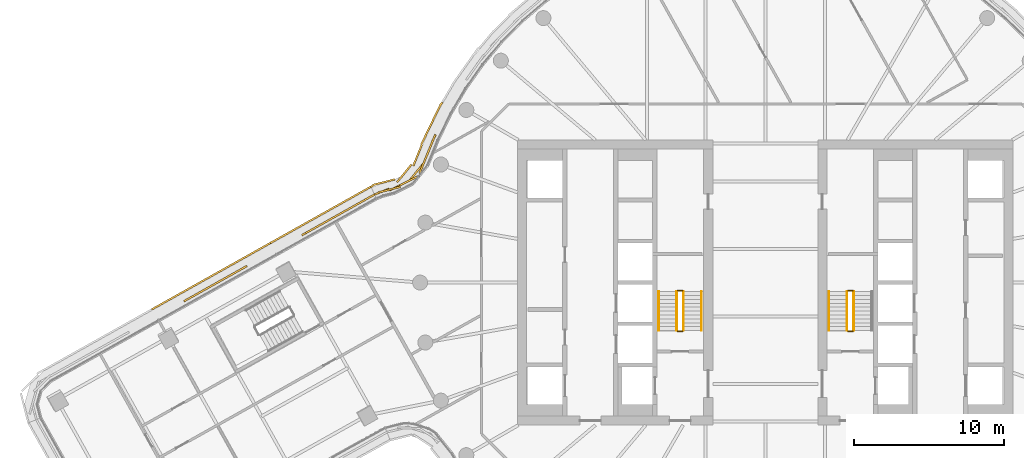
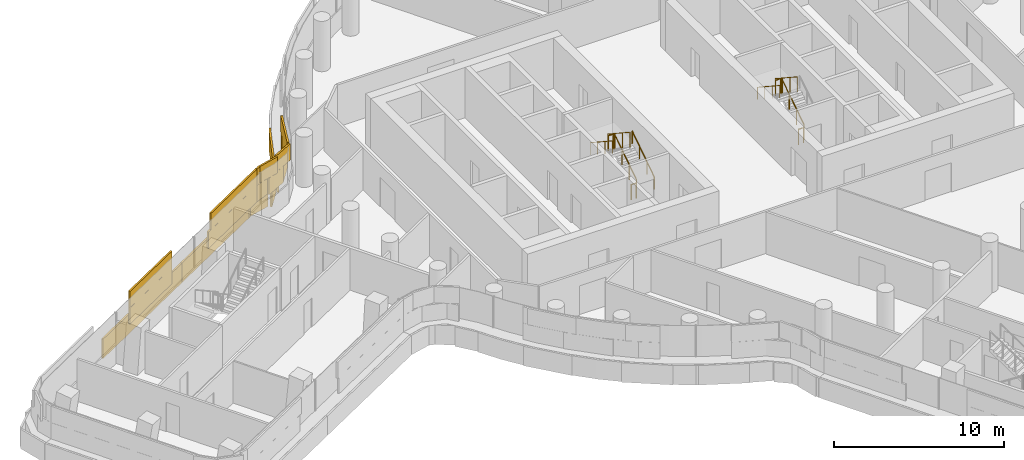
# One storey, part 30 of 34: 11 railings, 3 coverings.
"""IFC4 building model written with IfcOpenShell, lengths in metres."""

import ifcopenshell
import ifcopenshell.guid

model = None  # the IFC model being written
_history = None  # IfcOwnerHistory: only IFC2X3 demands one
_inside = {}  # id of a spatial element -> (the spatial element, [elements in it])
_under = {}  # id of a project, library or spatial element -> (it, [spatial elements below it])
_declared = {}  # id of a project -> (the project, [libraries it declares])
_typed = {}  # id of a type object -> (the type object, [elements of that type])
_made_of = {}  # id of a material, layer set ... -> (it, [elements and type objects made of it])


def new_model(schema):
    """Start an empty IFC model of exactly this schema.

    Asked for "IFC4X3", IfcOpenShell would pick the latest addendum, in which some entities
    have other attributes; the version numbers below select the first issue.
    IFC2X3 requires an IfcOwnerHistory on every rooted entity: one is made here for all.
    """
    global model, _history
    if schema == "IFC4X3":
        model = ifcopenshell.file(schema_version=(4, 3, 0, 0))
    else:
        model = ifcopenshell.file(schema=schema)
    _inside.clear()
    _under.clear()
    _declared.clear()
    _typed.clear()
    _made_of.clear()
    _history = None
    if model.schema == "IFC2X3":
        org = make("IfcOrganization", Name="unknown")
        user = make(
            "IfcPersonAndOrganization",
            ThePerson=make("IfcPerson", FamilyName="unknown"),
            TheOrganization=org,
        )
        app = make(
            "IfcApplication",
            ApplicationDeveloper=org,
            Version="unknown",
            ApplicationFullName="unknown",
            ApplicationIdentifier="unknown",
        )
        _history = make(
            "IfcOwnerHistory",
            OwningUser=user,
            OwningApplication=app,
            ChangeAction="ADDED",
            CreationDate=0,
        )
    return model


def make(cls, **values):
    """One entity of the class cls with the attributes given. An attribute that is None is left unset."""
    return model.create_entity(
        cls, **{name: value for name, value in values.items() if value is not None}
    )


def rooted(cls, **values):
    """An entity with a GlobalId (a new one), such as an element, a storey or a relation."""
    return make(cls, GlobalId=ifcopenshell.guid.new(), OwnerHistory=_history, **values)


def si_unit(unit_type, name, prefix=None):
    """IfcSIUnit, for example si_unit("LENGTHUNIT", "METRE", prefix="MILLI")."""
    return make("IfcSIUnit", UnitType=unit_type, Prefix=prefix, Name=name)


def assignment(units):
    """IfcUnitAssignment: the units of a project."""
    return None if units is None else make("IfcUnitAssignment", Units=units)


def point(xyz):
    """IfcCartesianPoint."""
    return None if xyz is None else make("IfcCartesianPoint", Coordinates=xyz)


def direction(xyz):
    """IfcDirection."""
    return None if xyz is None else make("IfcDirection", DirectionRatios=xyz)


def frame(location, z_axis=None, x_axis=None):
    """IfcAxis2Placement3D, a coordinate frame: its origin and axes. An axis left out is left unset."""
    return make(
        "IfcAxis2Placement3D",
        Location=point(location),
        Axis=direction(z_axis),
        RefDirection=direction(x_axis),
    )


def frame_2d(location, x_axis=None):
    """IfcAxis2Placement2D, a coordinate frame in the plane: its origin and x axis."""
    return make(
        "IfcAxis2Placement2D", Location=point(location), RefDirection=direction(x_axis)
    )


def origin():
    """The frame at (0, 0, 0) with its axes left unset."""
    return frame((0.0, 0.0, 0.0))


def origin_2d():
    """The frame at (0, 0) in the plane with its x axis left unset."""
    return frame_2d((0.0, 0.0))


def place(relative_to, where):
    """IfcLocalPlacement: puts the frame where relative to a parent placement (None: the world)."""
    return make(
        "IfcLocalPlacement", PlacementRelTo=relative_to, RelativePlacement=where
    )


def context(
    kind, dimensions, precision=None, world=None, true_north=None, identifier=None
):
    """IfcGeometricRepresentationContext, for example the 3D "Model" context."""
    return make(
        "IfcGeometricRepresentationContext",
        ContextIdentifier=identifier,
        ContextType=kind,
        CoordinateSpaceDimension=dimensions,
        Precision=precision,
        WorldCoordinateSystem=world,
        TrueNorth=true_north,
    )


def subcontext(parent, identifier, kind, view, scale=None):
    """IfcGeometricRepresentationSubContext, for example "Body" below "Model"."""
    return make(
        "IfcGeometricRepresentationSubContext",
        ContextIdentifier=identifier,
        ContextType=kind,
        ParentContext=parent,
        TargetScale=scale,
        TargetView=view,
    )


def project(units=None, contexts=None):
    """IfcProject with its units and contexts."""
    return rooted(
        "IfcProject",
        Name="project",
        RepresentationContexts=contexts,
        UnitsInContext=assignment(units),
    )


def spatial(cls, under=None, at=None, **own):
    """A site, building, storey or space (cls), placed at a placement, below another one or the project."""
    s = rooted(cls, ObjectPlacement=at, **own)
    if under is not None:
        _under.setdefault(under.id(), (under, []))[1].append(s)
    return s


def profile(cls, at=None, kind="AREA", **sizes):
    """A parametric profile (cls). Its sizes go by their IFC names, for example OverallWidth=200.0."""
    return make(cls, ProfileType=kind, Position=at, **sizes)


def rectangle(**sizes):
    """IfcRectangleProfileDef."""
    return profile("IfcRectangleProfileDef", **sizes)


def circle(**sizes):
    """IfcCircleProfileDef."""
    return profile("IfcCircleProfileDef", **sizes)


def extrude(swept, where, along, depth):
    """IfcExtrudedAreaSolid: the profile swept, set in the frame where, extruded along a direction by depth."""
    return make(
        "IfcExtrudedAreaSolid",
        SweptArea=swept,
        Position=where,
        ExtrudedDirection=direction(along),
        Depth=depth,
    )


def shape(context_of_items, identifier, shape_type, items):
    """IfcShapeRepresentation: the items that make up one representation, for example the "Body"."""
    return make(
        "IfcShapeRepresentation",
        ContextOfItems=context_of_items,
        RepresentationIdentifier=identifier,
        RepresentationType=shape_type,
        Items=items,
    )


def material(Name=None, Category=None):
    """IfcMaterial."""
    return make("IfcMaterial", Name=Name, Category=Category)


def layer(
    of_material, thickness, ventilated=None, Name=None, Category=None, Priority=None
):
    """IfcMaterialLayer: one layer of a wall or slab, of a material (None: an air gap)."""
    return make(
        "IfcMaterialLayer",
        Material=of_material,
        LayerThickness=thickness,
        IsVentilated=ventilated,
        Name=Name,
        Category=Category,
        Priority=Priority,
    )


def layer_set(layers, Name=None):
    """IfcMaterialLayerSet."""
    return make("IfcMaterialLayerSet", MaterialLayers=layers, LayerSetName=Name)


def made_of(thing, what):
    """Note that an element or type object is made of a material, layer set ...; save() writes the relation."""
    if what is not None:
        _made_of.setdefault(what.id(), (what, []))[1].append(thing)
    return thing


def type_object(cls, material=None, **own):
    """A type object (cls), such as IfcWallType, which elements share."""
    return made_of(rooted(cls, **own), material)


def element(
    cls,
    number,
    at=None,
    inside=None,
    cuts=None,
    type_object=None,
    material=None,
    context=None,
    identifier="Body",
    shape_type=None,
    held_by="IfcProductDefinitionShape",
    body=None,
    shapes=None,
    **own,
):
    """One element of the class cls, such as IfcWall. Its Tag is "e" and its number.

    at: its placement. inside: the storey or other place that contains it. cuts: it is an
    opening in that element (IfcRelVoidsElement). A single representation is given by context,
    identifier, shape_type and body (its items); several are given by shapes. held_by: the class
    of the entity that holds the representations. save() writes the other relations.
    """
    e = rooted(cls, Tag="e%d" % number, ObjectPlacement=at, **own)
    if body is not None:
        shapes = [shape(context, identifier, shape_type, body)]
    if shapes is not None:
        e.Representation = make(held_by, Representations=shapes)
    if inside is not None:
        _inside.setdefault(inside.id(), (inside, []))[1].append(e)
    if cuts is not None:
        rooted(
            "IfcRelVoidsElement", RelatingBuildingElement=cuts, RelatedOpeningElement=e
        )
    if type_object is not None:
        _typed.setdefault(type_object.id(), (type_object, []))[1].append(e)
    return made_of(e, material)


def aggregate(whole, parts):
    """IfcRelAggregates: a whole, such as a stair, and the parts it consists of."""
    return rooted("IfcRelAggregates", RelatingObject=whole, RelatedObjects=parts)


def save(model, path):
    """Write the relations noted so far, then the file.

    IfcRelAggregates (storeys below a building ...), IfcRelContainedInSpatialStructure (elements
    in a storey), IfcRelDefinesByType, IfcRelAssociatesMaterial and IfcRelDeclares: one each for
    every whole, place, type object, material and project.
    """
    for whole, parts in _under.values():
        aggregate(whole, parts)
    for where, things in _inside.values():
        rooted(
            "IfcRelContainedInSpatialStructure",
            RelatedElements=things,
            RelatingStructure=where,
        )
    for kind, things in _typed.values():
        rooted("IfcRelDefinesByType", RelatedObjects=things, RelatingType=kind)
    for what, things in _made_of.values():
        rooted("IfcRelAssociatesMaterial", RelatedObjects=things, RelatingMaterial=what)
    for by, libraries in _declared.values():
        rooted("IfcRelDeclares", RelatingContext=by, RelatedDefinitions=libraries)
    model.write(path)


model = new_model("IFC4")

# Units and contexts
model_context = context("Model", 3, precision=1e-05, world=origin(), true_north=direction((0.0, 1.0)))
body_context = subcontext(model_context, "Body", "Model", "MODEL_VIEW")
ifc_project = project(units=[si_unit("LENGTHUNIT", "METRE"), si_unit("AREAUNIT", "SQUARE_METRE"), si_unit("VOLUMEUNIT", "CUBIC_METRE"), si_unit("PLANEANGLEUNIT", "RADIAN"), si_unit("MASSUNIT", "GRAM", prefix="KILO")], contexts=[model_context])

# Site, building, storey
site_placement = place(None, origin())
site = spatial("IfcSite", under=ifc_project, at=site_placement, CompositionType="ELEMENT")
building_placement = place(site_placement, origin())
building = spatial("IfcBuilding", under=site, at=building_placement, Name="Tamarind Cross Interchange Tower", CompositionType="ELEMENT")
storey_placement = place(building_placement, frame((0.0, 0.0, 140.5)))
storey = spatial("IfcBuildingStorey", under=building, at=storey_placement, Name="L34", CompositionType="ELEMENT", Elevation=140.5)

# Railings
ifc_material_1 = material(Name="Stair guard")
railing_type_1 = type_object("IfcRailingType", Name="Stair guard", PredefinedType="GUARDRAIL", material=ifc_material_1)
railing_1_placement = place(storey_placement, frame((-5.449951171875, -3.199951171875, 0.17041015625)))
element("IfcRailing", 1, at=railing_1_placement, inside=storey, type_object=railing_type_1, Name="L34 ST1 stair guard 1", PredefinedType="GUARDRAIL", context=body_context, shape_type="SweptSolid", body=[
    extrude(circle(Radius=0.02392578125, at=origin_2d()), frame((0.0, 0.0, 1.076171875), z_axis=(0.0, 0.836278606002, 0.548304744775), x_axis=(-1.0, 0.0, 0.0)), (0.0, 0.0, 1.0), 3.10888671875),
    extrude(circle(Radius=0.02099609375, at=origin_2d()), origin(), (0.0, 0.0, 1.0), 1.052001953125),
    extrude(circle(Radius=0.02099609375, at=origin_2d()), frame((0.0, 0.86669921875, 0.568115234375)), (0.0, 0.0, 1.0), 1.052001953125),
    extrude(circle(Radius=0.02099609375, at=origin_2d()), frame((0.0, 1.733154296875, 1.136474609375)), (0.0, 0.0, 1.0), 1.052001953125),
    extrude(circle(Radius=0.02099609375, at=origin_2d()), frame((0.0, 2.599853515625, 1.70458984375)), (0.0, 0.0, 1.0), 1.052001953125),
])
railing_2_placement = place(storey_placement, frame((-5.5, -0.550048828125, 1.875)))
element("IfcRailing", 2, at=railing_2_placement, inside=storey, type_object=railing_type_1, Name="L34 ST1 stair guard 2", PredefinedType="GUARDRAIL", context=body_context, shape_type="SweptSolid", body=[
    extrude(circle(Radius=0.02392578125, at=origin_2d()), frame((0.0, 0.0, 1.076171875), z_axis=(-1.0, 0.0, 0.0), x_axis=(0.0, -1.0, 0.0)), (0.0, 0.0, 1.0), 0.35009765625),
    extrude(circle(Radius=0.02099609375, at=origin_2d()), origin(), (0.0, 0.0, 1.0), 1.052001953125),
    extrude(circle(Radius=0.02099609375, at=origin_2d()), frame((-0.35009765625, 0.0, 0.0)), (0.0, 0.0, 1.0), 1.052001953125),
])
railing_3_placement = place(storey_placement, frame((-5.89990234375, -0.60009765625, 2.04541015625)))
element("IfcRailing", 3, at=railing_3_placement, inside=storey, type_object=railing_type_1, Name="L34 ST1 stair guard 3", PredefinedType="GUARDRAIL", context=body_context, shape_type="SweptSolid", body=[
    extrude(circle(Radius=0.02392578125, at=origin_2d()), frame((0.0, 0.0, 1.076171875), z_axis=(0.0, -0.836278606002, 0.548304744775), x_axis=(1.0, 0.0, 0.0)), (0.0, 0.0, 1.0), 3.10888671875),
    extrude(circle(Radius=0.02099609375, at=origin_2d()), origin(), (0.0, 0.0, 1.0), 1.052001953125),
    extrude(circle(Radius=0.02099609375, at=origin_2d()), frame((0.0, -0.86669921875, 0.568115234375)), (0.0, 0.0, 1.0), 1.052001953125),
    extrude(circle(Radius=0.02099609375, at=origin_2d()), frame((0.0, -1.733154296875, 1.136474609375)), (0.0, 0.0, 1.0), 1.052001953125),
    extrude(circle(Radius=0.02099609375, at=origin_2d()), frame((0.0, -2.599853515625, 1.70458984375)), (0.0, 0.0, 1.0), 1.052001953125),
])
railing_4_placement = place(storey_placement, frame((-5.5, -3.25, 0.0)))
element("IfcRailing", 4, at=railing_4_placement, inside=storey, type_object=railing_type_1, Name="L34 ST1 stair guard 4", PredefinedType="GUARDRAIL", context=body_context, shape_type="SweptSolid", body=[
    extrude(circle(Radius=0.02392578125, at=origin_2d()), frame((0.0, 0.0, 1.076171875), z_axis=(-1.0, 0.0, 0.0), x_axis=(0.0, -1.0, 0.0)), (0.0, 0.0, 1.0), 0.35009765625),
    extrude(circle(Radius=0.02099609375, at=origin_2d()), origin(), (0.0, 0.0, 1.0), 1.052001953125),
    extrude(circle(Radius=0.02099609375, at=origin_2d()), frame((-0.35009765625, 0.0, 0.0)), (0.0, 0.0, 1.0), 1.052001953125),
])
railing_5_placement = place(storey_placement, frame((5.89990234375, -3.199951171875, 0.17041015625)))
element("IfcRailing", 5, at=railing_5_placement, inside=storey, type_object=railing_type_1, Name="L34 ST2 stair guard 1", PredefinedType="GUARDRAIL", context=body_context, shape_type="SweptSolid", body=[
    extrude(circle(Radius=0.02392578125, at=origin_2d()), frame((0.0, 0.0, 1.076171875), z_axis=(0.0, 0.836278606002, 0.548304744775), x_axis=(-1.0, 0.0, 0.0)), (0.0, 0.0, 1.0), 3.10888671875),
    extrude(circle(Radius=0.02099609375, at=origin_2d()), origin(), (0.0, 0.0, 1.0), 1.052001953125),
    extrude(circle(Radius=0.02099609375, at=origin_2d()), frame((0.0, 0.86669921875, 0.568115234375)), (0.0, 0.0, 1.0), 1.052001953125),
    extrude(circle(Radius=0.02099609375, at=origin_2d()), frame((0.0, 1.733154296875, 1.136474609375)), (0.0, 0.0, 1.0), 1.052001953125),
    extrude(circle(Radius=0.02099609375, at=origin_2d()), frame((0.0, 2.599853515625, 1.70458984375)), (0.0, 0.0, 1.0), 1.052001953125),
])
railing_6_placement = place(storey_placement, frame((5.85009765625, -0.550048828125, 1.875)))
element("IfcRailing", 6, at=railing_6_placement, inside=storey, type_object=railing_type_1, Name="L34 ST2 stair guard 2", PredefinedType="GUARDRAIL", context=body_context, shape_type="SweptSolid", body=[
    extrude(circle(Radius=0.02392578125, at=origin_2d()), frame((0.0, 0.0, 1.076171875), z_axis=(-1.0, 0.0, 0.0), x_axis=(0.0, -1.0, 0.0)), (0.0, 0.0, 1.0), 0.35009765625),
    extrude(circle(Radius=0.02099609375, at=origin_2d()), origin(), (0.0, 0.0, 1.0), 1.052001953125),
    extrude(circle(Radius=0.02099609375, at=origin_2d()), frame((-0.35009765625, 0.0, 0.0)), (0.0, 0.0, 1.0), 1.052001953125),
])
railing_7_placement = place(storey_placement, frame((5.449951171875, -0.60009765625, 2.04541015625)))
element("IfcRailing", 7, at=railing_7_placement, inside=storey, type_object=railing_type_1, Name="L34 ST2 stair guard 3", PredefinedType="GUARDRAIL", context=body_context, shape_type="SweptSolid", body=[
    extrude(circle(Radius=0.02392578125, at=origin_2d()), frame((0.0, 0.0, 1.076171875), z_axis=(0.0, -0.836278606002, 0.548304744775), x_axis=(1.0, 0.0, 0.0)), (0.0, 0.0, 1.0), 3.10888671875),
    extrude(circle(Radius=0.02099609375, at=origin_2d()), origin(), (0.0, 0.0, 1.0), 1.052001953125),
    extrude(circle(Radius=0.02099609375, at=origin_2d()), frame((0.0, -0.86669921875, 0.568115234375)), (0.0, 0.0, 1.0), 1.052001953125),
    extrude(circle(Radius=0.02099609375, at=origin_2d()), frame((0.0, -1.733154296875, 1.136474609375)), (0.0, 0.0, 1.0), 1.052001953125),
    extrude(circle(Radius=0.02099609375, at=origin_2d()), frame((0.0, -2.599853515625, 1.70458984375)), (0.0, 0.0, 1.0), 1.052001953125),
])
railing_8_placement = place(storey_placement, frame((5.85009765625, -3.25, 0.0)))
element("IfcRailing", 8, at=railing_8_placement, inside=storey, type_object=railing_type_1, Name="L34 ST2 stair guard 4", PredefinedType="GUARDRAIL", context=body_context, shape_type="SweptSolid", body=[
    extrude(circle(Radius=0.02392578125, at=origin_2d()), frame((0.0, 0.0, 1.076171875), z_axis=(-1.0, 0.0, 0.0), x_axis=(0.0, -1.0, 0.0)), (0.0, 0.0, 1.0), 0.35009765625),
    extrude(circle(Radius=0.02099609375, at=origin_2d()), origin(), (0.0, 0.0, 1.0), 1.052001953125),
    extrude(circle(Radius=0.02099609375, at=origin_2d()), frame((-0.35009765625, 0.0, 0.0)), (0.0, 0.0, 1.0), 1.052001953125),
])
ifc_material_2 = material(Name="Stair handrail")
railing_type_2 = type_object("IfcRailingType", Name="Stair handrail", PredefinedType="HANDRAIL", material=ifc_material_2)
railing_9_placement = place(storey_placement, frame((-4.25, -3.199951171875, 0.17041015625)))
element("IfcRailing", 9, at=railing_9_placement, inside=storey, type_object=railing_type_2, Name="L34 ST1 stair handrail 1", PredefinedType="HANDRAIL", context=body_context, shape_type="SweptSolid", body=[
    extrude(circle(Radius=0.02392578125, at=origin_2d()), frame((0.0, 0.0, 0.8759765625), z_axis=(0.0, 0.836278606002, 0.548304744775), x_axis=(-1.0, 0.0, 0.0)), (0.0, 0.0, 1.0), 3.10888671875),
    extrude(circle(Radius=0.02099609375, at=origin_2d()), origin(), (0.0, 0.0, 1.0), 0.851806640625),
    extrude(circle(Radius=0.02099609375, at=origin_2d()), frame((0.0, 0.86669921875, 0.568115234375)), (0.0, 0.0, 1.0), 0.851806640625),
    extrude(circle(Radius=0.02099609375, at=origin_2d()), frame((0.0, 1.733154296875, 1.136474609375)), (0.0, 0.0, 1.0), 0.851806640625),
    extrude(circle(Radius=0.02099609375, at=origin_2d()), frame((0.0, 2.599853515625, 1.70458984375)), (0.0, 0.0, 1.0), 0.851806640625),
])
for number, where, name in (
    (10, (-7.10009765625, -0.60009765625, 2.04541015625), "L34 ST1 stair handrail 2"),
    (11, (4.25, -0.60009765625, 2.04541015625), "L34 ST2 stair handrail 2"),
):
    element("IfcRailing", number, at=place(storey_placement, frame(where)), inside=storey, type_object=railing_type_2, Name=name, PredefinedType="HANDRAIL", context=body_context, shape_type="SweptSolid", body=[
        extrude(circle(Radius=0.02392578125, at=origin_2d()), frame((0.0, 0.0, 0.8759765625), z_axis=(0.0, -0.836278606002, 0.548304744775), x_axis=(1.0, 0.0, 0.0)), (0.0, 0.0, 1.0), 3.10888671875),
        extrude(circle(Radius=0.02099609375, at=origin_2d()), origin(), (0.0, 0.0, 1.0), 0.851806640625),
        extrude(circle(Radius=0.02099609375, at=origin_2d()), frame((0.0, -0.86669921875, 0.568115234375)), (0.0, 0.0, 1.0), 0.851806640625),
        extrude(circle(Radius=0.02099609375, at=origin_2d()), frame((0.0, -1.733154296875, 1.136474609375)), (0.0, 0.0, 1.0), 0.851806640625),
        extrude(circle(Radius=0.02099609375, at=origin_2d()), frame((0.0, -2.599853515625, 1.70458984375)), (0.0, 0.0, 1.0), 0.851806640625),
    ])

# Coverings
ifc_material_3 = material(Name="Terracotta", Category="masonry")
ifc_layer = layer(ifc_material_3, 0.1201171875)
ifc_layer_set = layer_set([ifc_layer], Name="Terracotta")
covering_type = type_object("IfcCoveringType", Name="Terracotta baguette screen unit", PredefinedType="MOLDING", material=ifc_layer_set)
covering_1_placement = place(storey_placement, origin())
element("IfcCovering", 12, at=covering_1_placement, inside=storey, type_object=covering_type, Name="SCR-L34-14-01", PredefinedType="MOLDING", context=body_context, shape_type="SweptSolid", body=[
    extrude(rectangle(XDim=0.543701171875, YDim=0.1201171875, at=origin_2d()), frame((-22.0830078125, 9.613037109375, 1.404052734375), z_axis=(0.0, 0.0, 1.0), x_axis=(-0.435326231914, -0.900272776334, 0.0)), (0.0, 0.0, 1.0), 1.1669921875),
    extrude(rectangle(XDim=1.52001953125, YDim=0.1201171875, at=origin_2d()), frame((-22.469482421875, 8.672607421875, 1.404052734375), z_axis=(0.0, 0.0, 1.0), x_axis=(-0.378236980126, -0.925708802413, 0.0)), (0.0, 0.0, 1.0), 1.1669921875),
    extrude(rectangle(XDim=1.52001953125, YDim=0.1201171875, at=origin_2d()), frame((-23.220458984375, 7.392822265625, 1.404052734375), z_axis=(0.0, 0.0, 1.0), x_axis=(-0.630278522807, -0.776369102739, 0.0)), (0.0, 0.0, 1.0), 1.1669921875),
    extrude(rectangle(XDim=1.52001953125, YDim=0.1201171875, at=origin_2d()), frame((-24.3642578125, 6.47509765625, 1.404052734375), z_axis=(0.0, 0.0, 1.0), x_axis=(-0.894010952706, -0.448045105365, 0.0)), (0.0, 0.0, 1.0), 1.1669921875),
    extrude(rectangle(XDim=1.04443359375, YDim=0.1201171875, at=origin_2d()), frame((-25.553466796875, 6.05859375, 1.404052734375), z_axis=(0.0, 0.0, 1.0), x_axis=(-0.928781093365, -0.37062876387, 0.0)), (0.0, 0.0, 1.0), 1.1669921875),
    extrude(rectangle(XDim=1.293701171875, YDim=0.1201171875, at=origin_2d()), frame((-22.226806640625, 9.266845703125, 2.5791015625), z_axis=(0.0, 0.0, 1.0), x_axis=(-0.378236980126, -0.925708802413, 0.0)), (0.0, 0.0, 1.0), 1.1669921875),
    extrude(rectangle(XDim=1.52001953125, YDim=0.1201171875, at=origin_2d()), frame((-22.753173828125, 7.978271484375, 2.5791015625), z_axis=(0.0, 0.0, 1.0), x_axis=(-0.378236980126, -0.925708802413, 0.0)), (0.0, 0.0, 1.0), 1.1669921875),
    extrude(rectangle(XDim=1.52001953125, YDim=0.1201171875, at=origin_2d()), frame((-23.693603515625, 6.811279296875, 2.5791015625), z_axis=(0.0, 0.0, 1.0), x_axis=(-0.894010952706, -0.448045105365, 0.0)), (0.0, 0.0, 1.0), 1.1669921875),
    extrude(rectangle(XDim=1.52001953125, YDim=0.1201171875, at=origin_2d()), frame((-25.052978515625, 6.18798828125, 2.5791015625), z_axis=(0.0, 0.0, 1.0), x_axis=(-0.969212003633, -0.246227723894, 0.0)), (0.0, 0.0, 1.0), 1.1669921875),
    extrude(rectangle(XDim=0.29443359375, YDim=0.1201171875, at=origin_2d()), frame((-25.90185546875, 5.919677734375, 2.5791015625), z_axis=(0.0, 0.0, 1.0), x_axis=(-0.928781093365, -0.37062876387, 0.0)), (0.0, 0.0, 1.0), 1.1669921875),
    extrude(rectangle(XDim=0.1552734375, YDim=0.1201171875, at=origin_2d()), frame((-21.5634765625, 11.9404296875, 0.00390625), z_axis=(0.0, 0.0, 1.0), x_axis=(-0.508183308752, -0.861248933065, 0.0)), (0.0, 0.0, 1.0), 1.39208984375),
    extrude(rectangle(XDim=1.52001953125, YDim=0.1201171875, at=origin_2d()), frame((-21.944580078125, 11.2177734375, 0.00390625), z_axis=(0.0, 0.0, 1.0), x_axis=(-0.435326231914, -0.900272776334, 0.0)), (0.0, 0.0, 1.0), 1.39208984375),
    extrude(rectangle(XDim=1.52001953125, YDim=0.1201171875, at=origin_2d()), frame((-22.597412109375, 9.867431640625, 0.00390625), z_axis=(0.0, 0.0, 1.0), x_axis=(-0.435326231914, -0.900272776334, 0.0)), (0.0, 0.0, 1.0), 1.39208984375),
    extrude(rectangle(XDim=1.52001953125, YDim=0.1201171875, at=origin_2d()), frame((-23.168212890625, 8.48046875, 0.00390625), z_axis=(0.0, 0.0, 1.0), x_axis=(-0.378236980126, -0.925708802413, 0.0)), (0.0, 0.0, 1.0), 1.39208984375),
    extrude(rectangle(XDim=1.52001953125, YDim=0.1201171875, at=origin_2d()), frame((-24.052001953125, 7.279296875, 0.00390625), z_axis=(0.0, 0.0, 1.0), x_axis=(-0.630278522807, -0.776369102739, 0.0)), (0.0, 0.0, 1.0), 1.39208984375),
    extrude(rectangle(XDim=1.52001953125, YDim=0.1201171875, at=origin_2d()), frame((-25.4208984375, 6.686767578125, 0.00390625), z_axis=(0.0, 0.0, 1.0), x_axis=(-0.969212003633, -0.246227723894, 0.0)), (0.0, 0.0, 1.0), 1.39208984375),
    extrude(rectangle(XDim=0.173583984375, YDim=0.1201171875, at=origin_2d()), frame((-26.201171875, 6.418212890625, 0.00390625), z_axis=(0.0, 0.0, 1.0), x_axis=(-0.928781093365, -0.37062876387, 0.0)), (0.0, 0.0, 1.0), 1.39208984375),
])
covering_2_placement = place(storey_placement, origin())
element("IfcCovering", 13, at=covering_2_placement, inside=storey, type_object=covering_type, Name="SCR-L34-15-00", PredefinedType="MOLDING", context=body_context, shape_type="SweptSolid", body=[
    extrude(rectangle(XDim=1.510009765625, YDim=0.1201171875, at=origin_2d()), frame((-26.688232421875, 5.50048828125, 1.404052734375), z_axis=(0.0, 0.0, 1.0), x_axis=(-0.872458481082, -0.488688242939, 0.0)), (0.0, 0.0, 1.0), 1.1669921875),
    extrude(rectangle(XDim=1.52001953125, YDim=0.1201171875, at=origin_2d()), frame((-27.9970703125, 4.767333984375, 1.404052734375), z_axis=(0.0, 0.0, 1.0), x_axis=(-0.872458481082, -0.488688242939, 0.0)), (0.0, 0.0, 1.0), 1.1669921875),
    extrude(rectangle(XDim=1.52001953125, YDim=0.1201171875, at=origin_2d()), frame((-29.3056640625, 4.034423828125, 1.404052734375), z_axis=(0.0, 0.0, 1.0), x_axis=(-0.872458481082, -0.488688242939, 0.0)), (0.0, 0.0, 1.0), 1.1669921875),
    extrude(rectangle(XDim=1.05712890625, YDim=0.1201171875, at=origin_2d()), frame((-30.416748046875, 3.411865234375, 1.404052734375), z_axis=(0.0, 0.0, 1.0), x_axis=(-0.872458481082, -0.488688242939, 0.0)), (0.0, 0.0, 1.0), 1.1669921875),
    extrude(rectangle(XDim=0.760009765625, YDim=0.1201171875, at=origin_2d()), frame((-26.361083984375, 5.68359375, 2.5791015625), z_axis=(0.0, 0.0, 1.0), x_axis=(-0.872458481082, -0.488688242939, 0.0)), (0.0, 0.0, 1.0), 1.1669921875),
    extrude(rectangle(XDim=1.52001953125, YDim=0.1201171875, at=origin_2d()), frame((-27.342529296875, 5.1337890625, 2.5791015625), z_axis=(0.0, 0.0, 1.0), x_axis=(-0.872458481082, -0.488688242939, 0.0)), (0.0, 0.0, 1.0), 1.1669921875),
    extrude(rectangle(XDim=1.52001953125, YDim=0.1201171875, at=origin_2d()), frame((-28.6513671875, 4.40087890625, 2.5791015625), z_axis=(0.0, 0.0, 1.0), x_axis=(-0.872458481082, -0.488688242939, 0.0)), (0.0, 0.0, 1.0), 1.1669921875),
    extrude(rectangle(XDim=1.52001953125, YDim=0.1201171875, at=origin_2d()), frame((-29.9599609375, 3.667724609375, 2.5791015625), z_axis=(0.0, 0.0, 1.0), x_axis=(-0.872458481082, -0.488688242939, 0.0)), (0.0, 0.0, 1.0), 1.1669921875),
    extrude(rectangle(XDim=1.510009765625, YDim=0.1201171875, at=origin_2d()), frame((-26.9404296875, 6.01708984375, 0.00390625), z_axis=(0.0, 0.0, 1.0), x_axis=(-0.872458481082, -0.488688242939, 0.0)), (0.0, 0.0, 1.0), 1.39208984375),
    extrude(rectangle(XDim=1.52001953125, YDim=0.1201171875, at=origin_2d()), frame((-28.24462890625, 5.28662109375, 0.00390625), z_axis=(0.0, 0.0, 1.0), x_axis=(-0.872458481082, -0.488688242939, 0.0)), (0.0, 0.0, 1.0), 1.39208984375),
    extrude(rectangle(XDim=1.52001953125, YDim=0.1201171875, at=origin_2d()), frame((-29.553466796875, 4.553466796875, 0.00390625), z_axis=(0.0, 0.0, 1.0), x_axis=(-0.872458481082, -0.488688242939, 0.0)), (0.0, 0.0, 1.0), 1.39208984375),
    extrude(rectangle(XDim=1.52001953125, YDim=0.1201171875, at=origin_2d()), frame((-30.862060546875, 3.820556640625, 0.00390625), z_axis=(0.0, 0.0, 1.0), x_axis=(-0.872458481082, -0.488688242939, 0.0)), (0.0, 0.0, 1.0), 1.39208984375),
    extrude(rectangle(XDim=1.52001953125, YDim=0.1201171875, at=origin_2d()), frame((-32.170654296875, 3.08740234375, 0.00390625), z_axis=(0.0, 0.0, 1.0), x_axis=(-0.872458481082, -0.488688242939, 0.0)), (0.0, 0.0, 1.0), 1.39208984375),
    extrude(rectangle(XDim=0.19189453125, YDim=0.1201171875, at=origin_2d()), frame((-32.900146484375, 2.678955078125, 0.00390625), z_axis=(0.0, 0.0, 1.0), x_axis=(-0.872458481082, -0.488688242939, 0.0)), (0.0, 0.0, 1.0), 1.39208984375),
])
covering_3_placement = place(storey_placement, origin())
element("IfcCovering", 14, at=covering_3_placement, inside=storey, type_object=covering_type, Name="SCR-L34-15-01", PredefinedType="MOLDING", context=body_context, shape_type="SweptSolid", body=[
    extrude(rectangle(XDim=0.762939453125, YDim=0.1201171875, at=origin_2d()), frame((-34.866455078125, 0.919677734375, 1.404052734375), z_axis=(0.0, 0.0, 1.0), x_axis=(-0.872458481082, -0.488688242939, 0.0)), (0.0, 0.0, 1.0), 1.1669921875),
    extrude(rectangle(XDim=1.52001953125, YDim=0.1201171875, at=origin_2d()), frame((-35.84912109375, 0.369140625, 1.404052734375), z_axis=(0.0, 0.0, 1.0), x_axis=(-0.872458481082, -0.488688242939, 0.0)), (0.0, 0.0, 1.0), 1.1669921875),
    extrude(rectangle(XDim=1.52001953125, YDim=0.1201171875, at=origin_2d()), frame((-37.15771484375, -0.36376953125, 1.404052734375), z_axis=(0.0, 0.0, 1.0), x_axis=(-0.872458481082, -0.488688242939, 0.0)), (0.0, 0.0, 1.0), 1.1669921875),
    extrude(rectangle(XDim=1.0634765625, YDim=0.1201171875, at=origin_2d()), frame((-38.271728515625, -0.98779296875, 1.404052734375), z_axis=(0.0, 0.0, 1.0), x_axis=(-0.872458481082, -0.488688242939, 0.0)), (0.0, 0.0, 1.0), 1.1669921875),
    extrude(rectangle(XDim=1.52001953125, YDim=0.1201171875, at=origin_2d()), frame((-35.19482421875, 0.735595703125, 2.5791015625), z_axis=(0.0, 0.0, 1.0), x_axis=(-0.872458481082, -0.488688242939, 0.0)), (0.0, 0.0, 1.0), 1.1669921875),
    extrude(rectangle(XDim=1.52001953125, YDim=0.1201171875, at=origin_2d()), frame((-36.50341796875, 0.002685546875, 2.5791015625), z_axis=(0.0, 0.0, 1.0), x_axis=(-0.872458481082, -0.488688242939, 0.0)), (0.0, 0.0, 1.0), 1.1669921875),
    extrude(rectangle(XDim=1.52001953125, YDim=0.1201171875, at=origin_2d()), frame((-37.812255859375, -0.73046875, 2.5791015625), z_axis=(0.0, 0.0, 1.0), x_axis=(-0.872458481082, -0.488688242939, 0.0)), (0.0, 0.0, 1.0), 1.1669921875),
    extrude(rectangle(XDim=0.3134765625, YDim=0.1201171875, at=origin_2d()), frame((-38.598876953125, -1.171142578125, 2.5791015625), z_axis=(0.0, 0.0, 1.0), x_axis=(-0.872458481082, -0.488688242939, 0.0)), (0.0, 0.0, 1.0), 1.1669921875),
    extrude(rectangle(XDim=1.328125, YDim=0.1201171875, at=origin_2d()), frame((-33.563232421875, 2.3076171875, 0.00390625), z_axis=(0.0, 0.0, 1.0), x_axis=(-0.872458481082, -0.488688242939, 0.0)), (0.0, 0.0, 1.0), 1.39208984375),
    extrude(rectangle(XDim=1.52001953125, YDim=0.1201171875, at=origin_2d()), frame((-34.7880859375, 1.621337890625, 0.00390625), z_axis=(0.0, 0.0, 1.0), x_axis=(-0.872458481082, -0.488688242939, 0.0)), (0.0, 0.0, 1.0), 1.39208984375),
    extrude(rectangle(XDim=1.52001953125, YDim=0.1201171875, at=origin_2d()), frame((-36.0966796875, 0.888427734375, 0.00390625), z_axis=(0.0, 0.0, 1.0), x_axis=(-0.872458481082, -0.488688242939, 0.0)), (0.0, 0.0, 1.0), 1.39208984375),
    extrude(rectangle(XDim=1.52001953125, YDim=0.1201171875, at=origin_2d()), frame((-37.405517578125, 0.1552734375, 0.00390625), z_axis=(0.0, 0.0, 1.0), x_axis=(-0.872458481082, -0.488688242939, 0.0)), (0.0, 0.0, 1.0), 1.39208984375),
    extrude(rectangle(XDim=1.52001953125, YDim=0.1201171875, at=origin_2d()), frame((-38.714111328125, -0.57763671875, 0.00390625), z_axis=(0.0, 0.0, 1.0), x_axis=(-0.872458481082, -0.488688242939, 0.0)), (0.0, 0.0, 1.0), 1.39208984375),
    extrude(rectangle(XDim=1.52001953125, YDim=0.1201171875, at=origin_2d()), frame((-40.02294921875, -1.310791015625, 0.00390625), z_axis=(0.0, 0.0, 1.0), x_axis=(-0.872458481082, -0.488688242939, 0.0)), (0.0, 0.0, 1.0), 1.39208984375),
    extrude(rectangle(XDim=0.2392578125, YDim=0.1201171875, at=origin_2d()), frame((-40.77294921875, -1.730712890625, 0.00390625), z_axis=(0.0, 0.0, 1.0), x_axis=(-0.872458481082, -0.488688242939, 0.0)), (0.0, 0.0, 1.0), 1.39208984375),
])

save(model, "model.ifc")
